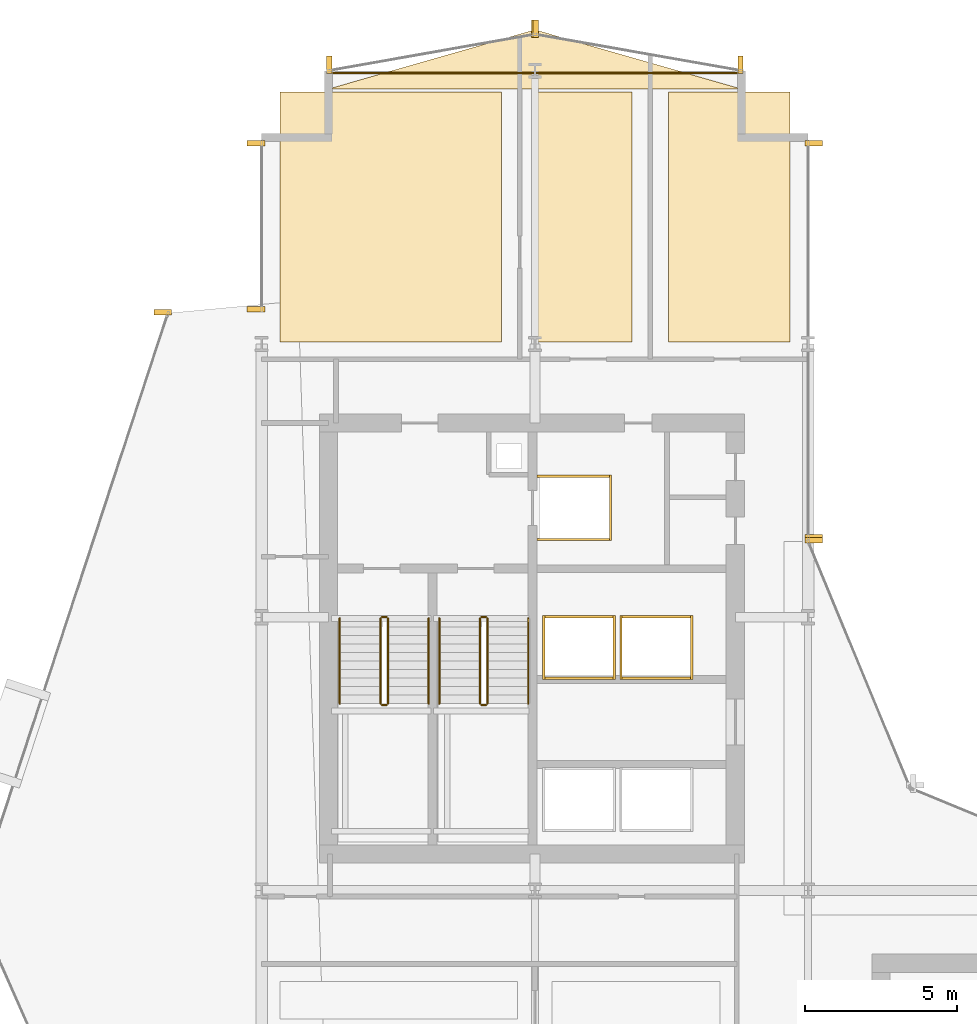
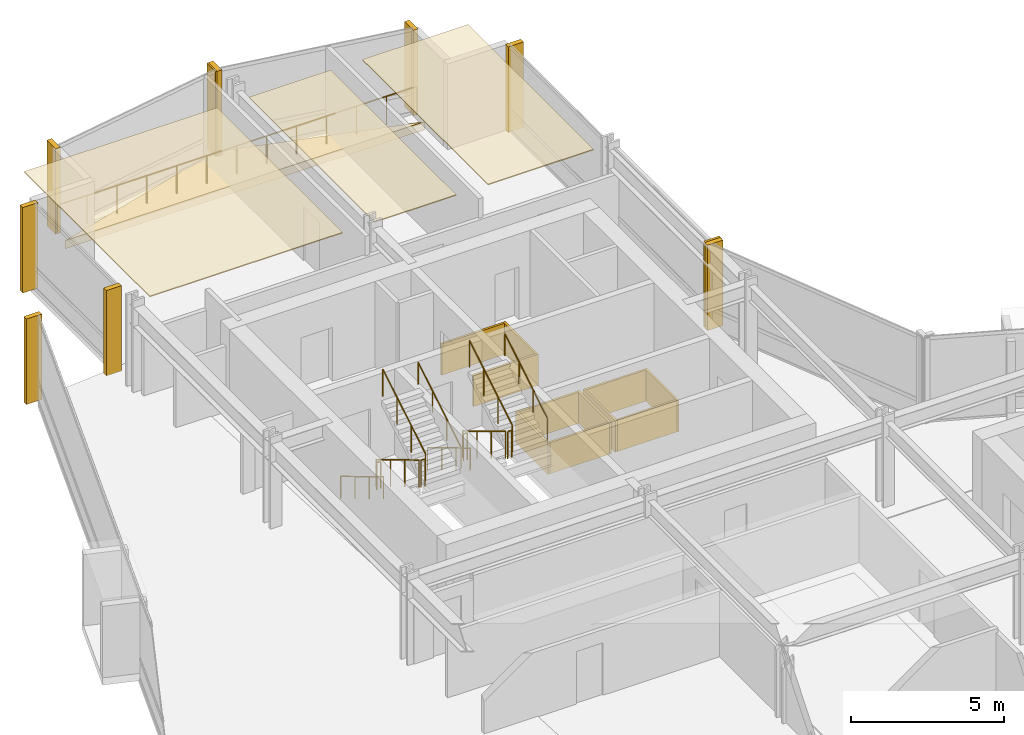
# One storey, part 33 of 34: 25 coverings, 13 railings.
"""IFC4 building model written with IfcOpenShell, lengths in metres."""

from ifc_helpers import new_model, si_unit, direction, frame, origin, origin_2d, place, context, subcontext, project, spatial, polyline, rectangle, circle, outline, extrude, material, layer, layer_set, type_object, element, save


model = new_model("IFC4")

# Units and contexts
model_context = context("Model", 3, precision=1e-05, world=origin(), true_north=direction((0.0, 1.0)))
body_context = subcontext(model_context, "Body", "Model", "MODEL_VIEW")
ifc_project = project(units=[si_unit("LENGTHUNIT", "METRE"), si_unit("AREAUNIT", "SQUARE_METRE"), si_unit("VOLUMEUNIT", "CUBIC_METRE"), si_unit("PLANEANGLEUNIT", "RADIAN"), si_unit("MASSUNIT", "GRAM", prefix="KILO")], contexts=[model_context])

# Site, building, storey
site_placement = place(None, origin())
site = spatial("IfcSite", under=ifc_project, at=site_placement, CompositionType="ELEMENT")
building_placement = place(site_placement, origin())
building = spatial("IfcBuilding", under=site, at=building_placement, Name="Solvaryn Broadcast Tower", CompositionType="ELEMENT")
storey_placement = place(building_placement, frame((0.0, 0.0, 65.60009765625)))
storey = spatial("IfcBuildingStorey", under=building, at=storey_placement, Name="L15", CompositionType="ELEMENT", Elevation=65.60009765625)

# Coverings
ifc_material_1 = material(Name="Micro-Perforated Acoustic Gypsum Ceiling", Category="concrete")
ifc_layer_1 = layer(ifc_material_1, 0.0400390625)
ifc_layer_set_1 = layer_set([ifc_layer_1], Name="CV-CEIL-ACOUSTIC")
covering_type_1 = type_object("IfcCoveringType", Name="CV-CEIL-ACOUSTIC", PredefinedType="CEILING", material=ifc_layer_set_1)
covering_1_placement = place(storey_placement, frame((0.0, 0.0, 3.3798828125)))
element("IfcCovering", 1, at=covering_1_placement, inside=storey, type_object=covering_type_1, Name="L15 Room Acoustic Ceiling 7", PredefinedType="CEILING", context=body_context, shape_type="SweptSolid", body=[
    extrude(outline(polyline([(9.60009765625, 45.070068359375), (16.89990234375, 45.070068359375), (16.89990234375, 53.300048828125), (9.60009765625, 53.300048828125), (9.60009765625, 45.070068359375)])), origin(), (0.0, 0.0, 1.0), 0.0400390625),
])
covering_2_placement = place(storey_placement, frame((0.0, 0.0, 3.3798828125)))
element("IfcCovering", 2, at=covering_2_placement, inside=storey, type_object=covering_type_1, Name="L15 Room Acoustic Ceiling 8", PredefinedType="CEILING", context=body_context, shape_type="SweptSolid", body=[
    extrude(outline(polyline([(18.10009765625, 45.070068359375), (21.199951171875, 45.070068359375), (21.199951171875, 53.300048828125), (18.10009765625, 53.300048828125), (18.10009765625, 45.070068359375)])), origin(), (0.0, 0.0, 1.0), 0.0400390625),
])
covering_3_placement = place(storey_placement, frame((0.0, 0.0, 3.3798828125)))
element("IfcCovering", 3, at=covering_3_placement, inside=storey, type_object=covering_type_1, Name="L15 Room Acoustic Ceiling 9", PredefinedType="CEILING", context=body_context, shape_type="SweptSolid", body=[
    extrude(outline(polyline([(22.39990234375, 45.070068359375), (26.39990234375, 45.070068359375), (26.39990234375, 53.300048828125), (22.39990234375, 53.300048828125), (22.39990234375, 45.070068359375)])), origin(), (0.0, 0.0, 1.0), 0.0400390625),
])
ifc_material_2 = material(Name="Fire-Rated Gypsum Shaftwall Liner", Category="concrete")
ifc_layer_2 = layer(ifc_material_2, 0.080078125)
ifc_layer_set_2 = layer_set([ifc_layer_2], Name="CV-SHAFT-LINER")
covering_type_2 = type_object("IfcCoveringType", Name="CV-SHAFT-LINER", PredefinedType="CLADDING", material=ifc_layer_set_2)
for number, where, z_axis, x_axis, name in (
    (4, (19.300048828125, 40.639892578125, 0.0), (0.0, 0.0, 1.0), (1.0, 0.0, 0.0), "L15 FL1 Hoistway Shaft Liner North"),
    (5, (19.300048828125, 38.56005859375, 0.0), (0.0, 0.0, 1.0), (1.0, 0.0, 0.0), "L15 FL1 Hoistway Shaft Liner South"),
):
    element("IfcCovering", number, at=place(storey_placement, frame(where, z_axis=z_axis, x_axis=x_axis)), inside=storey, type_object=covering_type_2, Name=name, PredefinedType="CLADDING", context=body_context, shape_type="SweptSolid", body=[
        extrude(rectangle(XDim=2.4599609375, YDim=0.080078125, at=origin_2d()), origin(), (0.0, 0.0, 1.0), 1.25),
    ])
covering_4_placement = place(storey_placement, frame((20.489990234375, 39.60009765625, 0.0), z_axis=(0.0, 0.0, 1.0), x_axis=(1.0, 0.0, 0.0)))
element("IfcCovering", 6, at=covering_4_placement, inside=storey, type_object=covering_type_2, Name="L15 FL1 Hoistway Shaft Liner East", PredefinedType="CLADDING", context=body_context, shape_type="SweptSolid", body=[
    extrude(rectangle(XDim=0.080078125, YDim=2.159912109375, at=origin_2d()), origin(), (0.0, 0.0, 1.0), 1.25),
])
for number, where, z_axis, x_axis, name in (
    (7, (19.449951171875, 36.014892578125, 0.0), (0.0, 0.0, 1.0), (1.0, 0.0, 0.0), "L15 PH3 Hoistway Shaft Liner North"),
    (8, (19.449951171875, 33.985107421875, 0.0), (0.0, 0.0, 1.0), (1.0, 0.0, 0.0), "L15 PH3 Hoistway Shaft Liner South"),
):
    element("IfcCovering", number, at=place(storey_placement, frame(where, z_axis=z_axis, x_axis=x_axis)), inside=storey, type_object=covering_type_2, Name=name, PredefinedType="CLADDING", context=body_context, shape_type="SweptSolid", body=[
        extrude(rectangle(XDim=2.409912109375, YDim=0.080078125, at=origin_2d()), origin(), (0.0, 0.0, 1.0), 1.25),
    ])
for number, where, z_axis, x_axis, name in (
    (9, (20.614990234375, 35.0, 0.0), (0.0, 0.0, 1.0), (1.0, 0.0, 0.0), "L15 PH3 Hoistway Shaft Liner East"),
    (10, (18.284912109375, 35.0, 0.0), (0.0, 0.0, 1.0), (1.0, 0.0, 0.0), "L15 PH3 Hoistway Shaft Liner West"),
):
    element("IfcCovering", number, at=place(storey_placement, frame(where, z_axis=z_axis, x_axis=x_axis)), inside=storey, type_object=covering_type_2, Name=name, PredefinedType="CLADDING", context=body_context, shape_type="SweptSolid", body=[
        extrude(rectangle(XDim=0.080078125, YDim=2.110107421875, at=origin_2d()), origin(), (0.0, 0.0, 1.0), 1.25),
    ])
for number, where, z_axis, x_axis, name in (
    (11, (22.0, 36.014892578125, 0.0), (0.0, 0.0, 1.0), (1.0, 0.0, 0.0), "L15 PH4 Hoistway Shaft Liner North"),
    (12, (22.0, 33.985107421875, 0.0), (0.0, 0.0, 1.0), (1.0, 0.0, 0.0), "L15 PH4 Hoistway Shaft Liner South"),
):
    element("IfcCovering", number, at=place(storey_placement, frame(where, z_axis=z_axis, x_axis=x_axis)), inside=storey, type_object=covering_type_2, Name=name, PredefinedType="CLADDING", context=body_context, shape_type="SweptSolid", body=[
        extrude(rectangle(XDim=2.409912109375, YDim=0.080078125, at=origin_2d()), origin(), (0.0, 0.0, 1.0), 1.25),
    ])
for number, where, z_axis, x_axis, name in (
    (13, (23.1650390625, 35.0, 0.0), (0.0, 0.0, 1.0), (1.0, 0.0, 0.0), "L15 PH4 Hoistway Shaft Liner East"),
    (14, (20.8349609375, 35.0, 0.0), (0.0, 0.0, 1.0), (1.0, 0.0, 0.0), "L15 PH4 Hoistway Shaft Liner West"),
):
    element("IfcCovering", number, at=place(storey_placement, frame(where, z_axis=z_axis, x_axis=x_axis)), inside=storey, type_object=covering_type_2, Name=name, PredefinedType="CLADDING", context=body_context, shape_type="SweptSolid", body=[
        extrude(rectangle(XDim=0.080078125, YDim=2.110107421875, at=origin_2d()), origin(), (0.0, 0.0, 1.0), 1.25),
    ])
ifc_material_3 = material(Name="Extruded Architectural Terracotta Fin", Category="masonry")
ifc_layer_3 = layer(ifc_material_3, 0.179931640625)
ifc_layer_set_3 = layer_set([ifc_layer_3], Name="CV-TC-FIN")
covering_type_3 = type_object("IfcCoveringType", Name="CV-TC-FIN", PredefinedType="USERDEFINED", material=ifc_layer_set_3)
for number, where, z_axis, x_axis, name in (
    (15, (5.735595703125, 46.043701171875, 0.0), (0.0, 0.0, 1.0), (1.0, 0.0, 0.0), "L15 Terracotta Vertical Fin FIN-L15-DR1-M00"),
    (16, (8.8125, 46.14599609375, 0.0), (0.0, 0.0, 1.0), (1.0, 0.0, 0.0), "L15 Terracotta Vertical Fin FIN-L15-W2-M00"),
    (17, (8.8125, 51.6201171875, 0.0), (0.0, 0.0, 1.0), (1.0, 0.0, 0.0), "L15 Terracotta Vertical Fin FIN-L15-W2-M01"),
    (18, (27.1875, 51.6201171875, 0.0), (0.0, 0.0, 1.0), (1.0, 0.0, 0.0), "L15 Terracotta Vertical Fin FIN-L15-IV-M00"),
    (19, (27.1875, 38.6298828125, 0.0), (0.0, 0.0, 1.0), (1.0, 0.0, 0.0), "L15 Terracotta Vertical Fin FIN-L15-IV-M01"),
    (20, (27.177978515625, 38.541259765625, 0.0), (0.0, 0.0, 1.0), (1.0, 0.0, 0.0), "L15 Terracotta Vertical Fin FIN-L15-CN2-M01"),
):
    element("IfcCovering", number, at=place(storey_placement, frame(where, z_axis=z_axis, x_axis=x_axis)), inside=storey, type_object=covering_type_3, Name=name, ObjectType="FIN", PredefinedType="USERDEFINED", context=body_context, shape_type="SweptSolid", body=[
        extrude(rectangle(XDim=0.580078125, YDim=0.179931640625, at=origin_2d()), origin(), (0.0, 0.0, 1.0), 3.419921875),
    ])
for number, where, z_axis, x_axis, name in (
    (21, (24.7705078125, 54.192626953125, 0.0), (0.0, 0.0, 1.0), (1.0, 0.0, 0.0), "L15 Terracotta Vertical Fin FIN-L15-NT1-M00"),
    (22, (18.029541015625, 55.38232421875, 0.0), (0.0, 0.0, 1.0), (1.0, 0.0, 0.0), "L15 Terracotta Vertical Fin FIN-L15-NT1-M01"),
    (23, (17.970458984375, 55.38232421875, 0.0), (0.0, 0.0, 1.0), (1.0, 0.0, 0.0), "L15 Terracotta Vertical Fin FIN-L15-NT2-M00"),
    (24, (11.2294921875, 54.192626953125, 0.0), (0.0, 0.0, 1.0), (1.0, 0.0, 0.0), "L15 Terracotta Vertical Fin FIN-L15-NT2-M01"),
):
    element("IfcCovering", number, at=place(storey_placement, frame(where, z_axis=z_axis, x_axis=x_axis)), inside=storey, type_object=covering_type_3, Name=name, ObjectType="FIN", PredefinedType="USERDEFINED", context=body_context, shape_type="SweptSolid", body=[
        extrude(rectangle(XDim=0.179931640625, YDim=0.580078125, at=origin_2d()), origin(), (0.0, 0.0, 1.0), 3.419921875),
    ])
ifc_material_4 = material(Name="Sculpted Architectural Terracotta Wave Fascia", Category="masonry")
ifc_layer_4 = layer(ifc_material_4, 0.340087890625)
ifc_layer_set_4 = layer_set([ifc_layer_4], Name="CV-WAVE-TRAY")
covering_type_4 = type_object("IfcCoveringType", Name="CV-WAVE-TRAY", PredefinedType="CLADDING", material=ifc_layer_set_4)
covering_5_placement = place(storey_placement, frame((0.0, 0.0, -0.300048828125)))
element("IfcCovering", 25, at=covering_5_placement, inside=storey, type_object=covering_type_4, Name="L15 North Curved Wing Deck", PredefinedType="CLADDING", context=body_context, shape_type="SweptSolid", body=[
    extrude(outline(polyline([(11.199951171875, 53.39990234375), (24.800048828125, 53.39990234375), (18.0, 55.35009765625), (11.199951171875, 53.39990234375)])), origin(), (0.0, 0.0, 1.0), 0.329833984375),
])

# Railings
ifc_material_5 = material(Name="Painted Steel Stair Well Guard", Category="steel")
railing_type_1 = type_object("IfcRailingType", Name="RL-STAIR-GUARD", PredefinedType="BALUSTRADE", material=ifc_material_5)
railing_1_placement = place(storey_placement, frame((12.909912109375, 35.9599609375, 0.16796875)))
element("IfcRailing", 26, at=railing_1_placement, inside=storey, type_object=railing_type_1, Name="L15 ST1 stair guard 1", PredefinedType="BALUSTRADE", context=body_context, shape_type="SweptSolid", body=[
    extrude(circle(Radius=0.02392578125, at=origin_2d()), frame((0.0, 0.0, 1.076171875), z_axis=(0.0, -0.857242210791, 0.514913383045), x_axis=(1.0, 0.0, 0.0)), (0.0, 0.0, 1.0), 3.266357421875),
    extrude(circle(Radius=0.02099609375, at=origin_2d()), origin(), (0.0, 0.0, 1.0), 1.052001953125),
    extrude(circle(Radius=0.02099609375, at=origin_2d()), frame((0.0, -0.933349609375, 0.560546875)), (0.0, 0.0, 1.0), 1.052001953125),
    extrude(circle(Radius=0.02099609375, at=origin_2d()), frame((0.0, -1.86669921875, 1.121337890625)), (0.0, 0.0, 1.0), 1.052001953125),
    extrude(circle(Radius=0.02099609375, at=origin_2d()), frame((0.0, -2.800048828125, 1.681884765625)), (0.0, 0.0, 1.0), 1.052001953125),
])
railing_2_placement = place(storey_placement, frame((12.9599609375, 33.110107421875, 1.849853515625)))
element("IfcRailing", 27, at=railing_2_placement, inside=storey, type_object=railing_type_1, Name="L15 ST1 stair guard 2", PredefinedType="BALUSTRADE", context=body_context, shape_type="SweptSolid", body=[
    extrude(circle(Radius=0.02392578125, at=origin_2d()), frame((0.0, 0.0, 1.076171875), z_axis=(1.0, 0.0, 0.0), x_axis=(0.0, 1.0, 0.0)), (0.0, 0.0, 1.0), 0.150146484375),
    extrude(circle(Radius=0.02099609375, at=origin_2d()), origin(), (0.0, 0.0, 1.0), 1.052001953125),
    extrude(circle(Radius=0.02099609375, at=origin_2d()), frame((0.150146484375, 0.0, 0.0)), (0.0, 0.0, 1.0), 1.052001953125),
])
railing_3_placement = place(storey_placement, frame((13.159912109375, 33.159912109375, 2.01806640625)))
element("IfcRailing", 28, at=railing_3_placement, inside=storey, type_object=railing_type_1, Name="L15 ST1 stair guard 3", PredefinedType="BALUSTRADE", context=body_context, shape_type="SweptSolid", body=[
    extrude(circle(Radius=0.02392578125, at=origin_2d()), frame((0.0, 0.0, 1.076171875), z_axis=(0.0, 0.857242210791, 0.514913383045), x_axis=(-1.0, 0.0, 0.0)), (0.0, 0.0, 1.0), 3.266357421875),
    extrude(circle(Radius=0.02099609375, at=origin_2d()), origin(), (0.0, 0.0, 1.0), 1.052001953125),
    extrude(circle(Radius=0.02099609375, at=origin_2d()), frame((0.0, 0.933349609375, 0.560546875)), (0.0, 0.0, 1.0), 1.052001953125),
    extrude(circle(Radius=0.02099609375, at=origin_2d()), frame((0.0, 1.86669921875, 1.121337890625)), (0.0, 0.0, 1.0), 1.052001953125),
    extrude(circle(Radius=0.02099609375, at=origin_2d()), frame((0.0, 2.800048828125, 1.681884765625)), (0.0, 0.0, 1.0), 1.052001953125),
])
railing_4_placement = place(storey_placement, frame((12.9599609375, 36.010009765625, 0.0)))
element("IfcRailing", 29, at=railing_4_placement, inside=storey, type_object=railing_type_1, Name="L15 ST1 stair guard 4", PredefinedType="BALUSTRADE", context=body_context, shape_type="SweptSolid", body=[
    extrude(circle(Radius=0.02392578125, at=origin_2d()), frame((0.0, 0.0, 1.076171875), z_axis=(1.0, 0.0, 0.0), x_axis=(0.0, 1.0, 0.0)), (0.0, 0.0, 1.0), 0.150146484375),
    extrude(circle(Radius=0.02099609375, at=origin_2d()), origin(), (0.0, 0.0, 1.0), 1.052001953125),
    extrude(circle(Radius=0.02099609375, at=origin_2d()), frame((0.150146484375, 0.0, 0.0)), (0.0, 0.0, 1.0), 1.052001953125),
])
railing_5_placement = place(storey_placement, frame((16.18994140625, 35.9599609375, 0.16796875)))
element("IfcRailing", 30, at=railing_5_placement, inside=storey, type_object=railing_type_1, Name="L15 ST2 stair guard 1", PredefinedType="BALUSTRADE", context=body_context, shape_type="SweptSolid", body=[
    extrude(circle(Radius=0.02392578125, at=origin_2d()), frame((0.0, 0.0, 1.076171875), z_axis=(0.0, -0.857242210791, 0.514913383045), x_axis=(1.0, 0.0, 0.0)), (0.0, 0.0, 1.0), 3.266357421875),
    extrude(circle(Radius=0.02099609375, at=origin_2d()), origin(), (0.0, 0.0, 1.0), 1.052001953125),
    extrude(circle(Radius=0.02099609375, at=origin_2d()), frame((0.0, -0.933349609375, 0.560546875)), (0.0, 0.0, 1.0), 1.052001953125),
    extrude(circle(Radius=0.02099609375, at=origin_2d()), frame((0.0, -1.86669921875, 1.121337890625)), (0.0, 0.0, 1.0), 1.052001953125),
    extrude(circle(Radius=0.02099609375, at=origin_2d()), frame((0.0, -2.800048828125, 1.681884765625)), (0.0, 0.0, 1.0), 1.052001953125),
])
railing_6_placement = place(storey_placement, frame((16.239990234375, 33.110107421875, 1.849853515625)))
element("IfcRailing", 31, at=railing_6_placement, inside=storey, type_object=railing_type_1, Name="L15 ST2 stair guard 2", PredefinedType="BALUSTRADE", context=body_context, shape_type="SweptSolid", body=[
    extrude(circle(Radius=0.02392578125, at=origin_2d()), frame((0.0, 0.0, 1.076171875), z_axis=(1.0, 0.0, 0.0), x_axis=(0.0, 1.0, 0.0)), (0.0, 0.0, 1.0), 0.14990234375),
    extrude(circle(Radius=0.02099609375, at=origin_2d()), origin(), (0.0, 0.0, 1.0), 1.052001953125),
    extrude(circle(Radius=0.02099609375, at=origin_2d()), frame((0.14990234375, 0.0, 0.0)), (0.0, 0.0, 1.0), 1.052001953125),
])
railing_7_placement = place(storey_placement, frame((16.43994140625, 33.159912109375, 2.01806640625)))
element("IfcRailing", 32, at=railing_7_placement, inside=storey, type_object=railing_type_1, Name="L15 ST2 stair guard 3", PredefinedType="BALUSTRADE", context=body_context, shape_type="SweptSolid", body=[
    extrude(circle(Radius=0.02392578125, at=origin_2d()), frame((0.0, 0.0, 1.076171875), z_axis=(0.0, 0.857242210791, 0.514913383045), x_axis=(-1.0, 0.0, 0.0)), (0.0, 0.0, 1.0), 3.266357421875),
    extrude(circle(Radius=0.02099609375, at=origin_2d()), origin(), (0.0, 0.0, 1.0), 1.052001953125),
    extrude(circle(Radius=0.02099609375, at=origin_2d()), frame((0.0, 0.933349609375, 0.560546875)), (0.0, 0.0, 1.0), 1.052001953125),
    extrude(circle(Radius=0.02099609375, at=origin_2d()), frame((0.0, 1.86669921875, 1.121337890625)), (0.0, 0.0, 1.0), 1.052001953125),
    extrude(circle(Radius=0.02099609375, at=origin_2d()), frame((0.0, 2.800048828125, 1.681884765625)), (0.0, 0.0, 1.0), 1.052001953125),
])
railing_8_placement = place(storey_placement, frame((16.239990234375, 36.010009765625, 0.0)))
element("IfcRailing", 33, at=railing_8_placement, inside=storey, type_object=railing_type_1, Name="L15 ST2 stair guard 4", PredefinedType="BALUSTRADE", context=body_context, shape_type="SweptSolid", body=[
    extrude(circle(Radius=0.02392578125, at=origin_2d()), frame((0.0, 0.0, 1.076171875), z_axis=(1.0, 0.0, 0.0), x_axis=(0.0, 1.0, 0.0)), (0.0, 0.0, 1.0), 0.14990234375),
    extrude(circle(Radius=0.02099609375, at=origin_2d()), origin(), (0.0, 0.0, 1.0), 1.052001953125),
    extrude(circle(Radius=0.02099609375, at=origin_2d()), frame((0.14990234375, 0.0, 0.0)), (0.0, 0.0, 1.0), 1.052001953125),
])
ifc_material_6 = material(Name="Brushed Stainless Steel Tubular Handrail", Category="steel")
railing_type_2 = type_object("IfcRailingType", Name="RL-STAIR-HANDRAIL", PredefinedType="HANDRAIL", material=ifc_material_6)
railing_9_placement = place(storey_placement, frame((11.570068359375, 35.9599609375, 0.16796875)))
element("IfcRailing", 34, at=railing_9_placement, inside=storey, type_object=railing_type_2, Name="L15 ST1 stair handrail 1", PredefinedType="HANDRAIL", context=body_context, shape_type="SweptSolid", body=[
    extrude(circle(Radius=0.02392578125, at=origin_2d()), frame((0.0, 0.0, 0.8759765625), z_axis=(0.0, -0.857242210791, 0.514913383045), x_axis=(1.0, 0.0, 0.0)), (0.0, 0.0, 1.0), 3.266357421875),
    extrude(circle(Radius=0.02099609375, at=origin_2d()), origin(), (0.0, 0.0, 1.0), 0.851806640625),
    extrude(circle(Radius=0.02099609375, at=origin_2d()), frame((0.0, -0.933349609375, 0.560546875)), (0.0, 0.0, 1.0), 0.851806640625),
    extrude(circle(Radius=0.02099609375, at=origin_2d()), frame((0.0, -1.86669921875, 1.121337890625)), (0.0, 0.0, 1.0), 0.851806640625),
    extrude(circle(Radius=0.02099609375, at=origin_2d()), frame((0.0, -2.800048828125, 1.681884765625)), (0.0, 0.0, 1.0), 0.851806640625),
])
railing_10_placement = place(storey_placement, frame((14.5, 33.159912109375, 2.01806640625)))
element("IfcRailing", 35, at=railing_10_placement, inside=storey, type_object=railing_type_2, Name="L15 ST1 stair handrail 2", PredefinedType="HANDRAIL", context=body_context, shape_type="SweptSolid", body=[
    extrude(circle(Radius=0.02392578125, at=origin_2d()), frame((0.0, 0.0, 0.8759765625), z_axis=(0.0, 0.857242210791, 0.514913383045), x_axis=(-1.0, 0.0, 0.0)), (0.0, 0.0, 1.0), 3.266357421875),
    extrude(circle(Radius=0.02099609375, at=origin_2d()), origin(), (0.0, 0.0, 1.0), 0.851806640625),
    extrude(circle(Radius=0.02099609375, at=origin_2d()), frame((0.0, 0.933349609375, 0.560546875)), (0.0, 0.0, 1.0), 0.851806640625),
    extrude(circle(Radius=0.02099609375, at=origin_2d()), frame((0.0, 1.86669921875, 1.121337890625)), (0.0, 0.0, 1.0), 0.851806640625),
    extrude(circle(Radius=0.02099609375, at=origin_2d()), frame((0.0, 2.800048828125, 1.681884765625)), (0.0, 0.0, 1.0), 0.851806640625),
])
railing_11_placement = place(storey_placement, frame((14.85009765625, 35.9599609375, 0.16796875)))
element("IfcRailing", 36, at=railing_11_placement, inside=storey, type_object=railing_type_2, Name="L15 ST2 stair handrail 1", PredefinedType="HANDRAIL", context=body_context, shape_type="SweptSolid", body=[
    extrude(circle(Radius=0.02392578125, at=origin_2d()), frame((0.0, 0.0, 0.8759765625), z_axis=(0.0, -0.857242210791, 0.514913383045), x_axis=(1.0, 0.0, 0.0)), (0.0, 0.0, 1.0), 3.266357421875),
    extrude(circle(Radius=0.02099609375, at=origin_2d()), origin(), (0.0, 0.0, 1.0), 0.851806640625),
    extrude(circle(Radius=0.02099609375, at=origin_2d()), frame((0.0, -0.933349609375, 0.560546875)), (0.0, 0.0, 1.0), 0.851806640625),
    extrude(circle(Radius=0.02099609375, at=origin_2d()), frame((0.0, -1.86669921875, 1.121337890625)), (0.0, 0.0, 1.0), 0.851806640625),
    extrude(circle(Radius=0.02099609375, at=origin_2d()), frame((0.0, -2.800048828125, 1.681884765625)), (0.0, 0.0, 1.0), 0.851806640625),
])
railing_12_placement = place(storey_placement, frame((17.780029296875, 33.159912109375, 2.01806640625)))
element("IfcRailing", 37, at=railing_12_placement, inside=storey, type_object=railing_type_2, Name="L15 ST2 stair handrail 2", PredefinedType="HANDRAIL", context=body_context, shape_type="SweptSolid", body=[
    extrude(circle(Radius=0.02392578125, at=origin_2d()), frame((0.0, 0.0, 0.8759765625), z_axis=(0.0, 0.857242210791, 0.514913383045), x_axis=(-1.0, 0.0, 0.0)), (0.0, 0.0, 1.0), 3.266357421875),
    extrude(circle(Radius=0.02099609375, at=origin_2d()), origin(), (0.0, 0.0, 1.0), 0.851806640625),
    extrude(circle(Radius=0.02099609375, at=origin_2d()), frame((0.0, 0.933349609375, 0.560546875)), (0.0, 0.0, 1.0), 0.851806640625),
    extrude(circle(Radius=0.02099609375, at=origin_2d()), frame((0.0, 1.86669921875, 1.121337890625)), (0.0, 0.0, 1.0), 0.851806640625),
    extrude(circle(Radius=0.02099609375, at=origin_2d()), frame((0.0, 2.800048828125, 1.681884765625)), (0.0, 0.0, 1.0), 0.851806640625),
])
ifc_material_7 = material(Name="Stainless Steel and Laminated Glass Guard", Category="steel")
railing_type_3 = type_object("IfcRailingType", Name="RL-TER-1150", PredefinedType="BALUSTRADE", material=ifc_material_7)
railing_13_placement = place(storey_placement, frame((11.199951171875, 53.919921875, 0.0)))
element("IfcRailing", 38, at=railing_13_placement, inside=storey, type_object=railing_type_3, Name="L15 North Wing Spandrel Edge Guard", PredefinedType="BALUSTRADE", context=body_context, shape_type="SweptSolid", body=[
    extrude(circle(Radius=0.02392578125, at=origin_2d()), frame((0.0, 0.0, 1.1259765625), z_axis=(1.0, 0.0, 0.0), x_axis=(0.0, 1.0, 0.0)), (0.0, 0.0, 1.0), 13.60009765625),
    extrude(circle(Radius=0.02099609375, at=origin_2d()), origin(), (0.0, 0.0, 1.0), 1.101806640625),
    extrude(circle(Radius=0.02099609375, at=origin_2d()), frame((1.13330078125, 0.0, 0.0)), (0.0, 0.0, 1.0), 1.101806640625),
    extrude(circle(Radius=0.02099609375, at=origin_2d()), frame((2.2666015625, 0.0, 0.0)), (0.0, 0.0, 1.0), 1.101806640625),
    extrude(circle(Radius=0.02099609375, at=origin_2d()), frame((3.39990234375, 0.0, 0.0)), (0.0, 0.0, 1.0), 1.101806640625),
    extrude(circle(Radius=0.02099609375, at=origin_2d()), frame((4.533447265625, 0.0, 0.0)), (0.0, 0.0, 1.0), 1.101806640625),
    extrude(circle(Radius=0.02099609375, at=origin_2d()), frame((5.666748046875, 0.0, 0.0)), (0.0, 0.0, 1.0), 1.101806640625),
    extrude(circle(Radius=0.02099609375, at=origin_2d()), frame((6.800048828125, 0.0, 0.0)), (0.0, 0.0, 1.0), 1.101806640625),
    extrude(circle(Radius=0.02099609375, at=origin_2d()), frame((7.933349609375, 0.0, 0.0)), (0.0, 0.0, 1.0), 1.101806640625),
    extrude(circle(Radius=0.02099609375, at=origin_2d()), frame((9.066650390625, 0.0, 0.0)), (0.0, 0.0, 1.0), 1.101806640625),
    extrude(circle(Radius=0.02099609375, at=origin_2d()), frame((10.2001953125, 0.0, 0.0)), (0.0, 0.0, 1.0), 1.101806640625),
    extrude(circle(Radius=0.02099609375, at=origin_2d()), frame((11.33349609375, 0.0, 0.0)), (0.0, 0.0, 1.0), 1.101806640625),
    extrude(circle(Radius=0.02099609375, at=origin_2d()), frame((12.466796875, 0.0, 0.0)), (0.0, 0.0, 1.0), 1.101806640625),
    extrude(circle(Radius=0.02099609375, at=origin_2d()), frame((13.60009765625, 0.0, 0.0)), (0.0, 0.0, 1.0), 1.101806640625),
])

save(model, "model.ifc")
